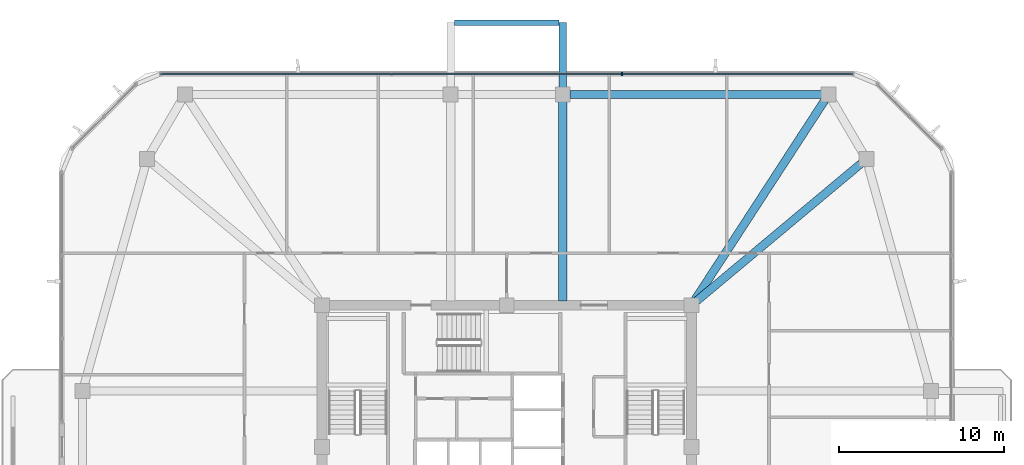
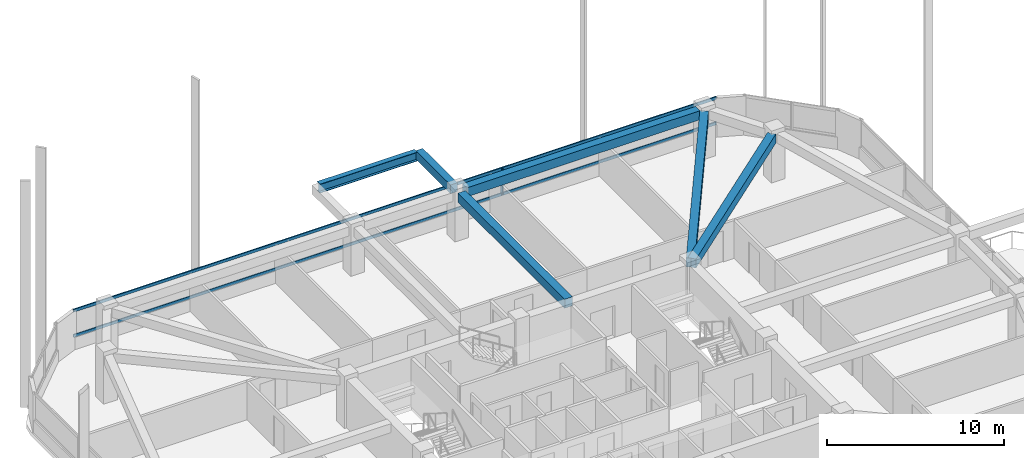
# One storey, part 7 of 17: 6 beams, 3 members, 1 element without a shape of its own.
"""IFC4 building model written with IfcOpenShell, lengths in metres."""

from ifc_helpers import new_model, si_unit, derived_unit, direction, frame, origin, origin_2d, place, context, subcontext, project, spatial, rectangle, i_section, extrude, material, material_profile, profile_set, type_object, element, aggregate, save


model = new_model("IFC4")

# Units and contexts
model_context = context("Model", 3, precision=1e-05, world=origin(), true_north=direction((0.0, 1.0)))
body_context = subcontext(model_context, "Body", "Model", "MODEL_VIEW")
ifc_project = project(units=[si_unit("LENGTHUNIT", "METRE"), si_unit("AREAUNIT", "SQUARE_METRE"), si_unit("VOLUMEUNIT", "CUBIC_METRE"), si_unit("PLANEANGLEUNIT", "RADIAN"), si_unit("MASSUNIT", "GRAM", prefix="KILO"), derived_unit("THERMALTRANSMITTANCEUNIT", [(si_unit("POWERUNIT", "WATT"), 1), (si_unit("LENGTHUNIT", "METRE"), -2), (si_unit("THERMODYNAMICTEMPERATUREUNIT", "KELVIN"), -1)])], contexts=[model_context])

# Site, building, storey
site_placement = place(None, origin())
site = spatial("IfcSite", under=ifc_project, at=site_placement, CompositionType="ELEMENT")
building_placement = place(site_placement, origin())
building = spatial("IfcBuilding", under=site, at=building_placement, Name="Koralith Skygarden Medical Center", CompositionType="ELEMENT")
storey_placement = place(building_placement, frame((0.0, 0.0, 221.580078125)))
storey = spatial("IfcBuildingStorey", under=building, at=storey_placement, Name="L57", CompositionType="ELEMENT", Elevation=221.580078125)

# Curtain wall, members
ifc_material_1 = material(Name="Clear Laminated Glass", Category="glass")
curtain_wall_type = type_object("IfcCurtainWallType", Name="CW-5 Zone 4 Flare Biophilic Curtain Wall", PredefinedType="NOTDEFINED", material=ifc_material_1)
curtain_wall_placement = place(storey_placement, origin())
curtain_wall = element("IfcCurtainWall", 1, at=curtain_wall_placement, inside=storey, type_object=curtain_wall_type, Name="Curtain Wall CW-L57-N", PredefinedType="NOTDEFINED")
ifc_material_2 = material(Name="Aluminium 6063-T6", Category="aluminium")
ifc_material_profile_1 = material_profile(ifc_material_2, rectangle(XDim=0.080078125, YDim=0.219970703125, at=origin_2d()), Name="MUL80X220")
ifc_profile_set_1 = profile_set([ifc_material_profile_1], Name="Aluminium 6063-T6")
member_type_1 = type_object("IfcMemberType", Name="CW-5 Extruded Mullion 80x220", PredefinedType="MULLION", material=ifc_profile_set_1)
member_1_placement = place(storey_placement, frame((43.99609375, 48.52001953125, 0.849853515625), z_axis=(0.0, 0.0, 1.0), x_axis=(1.0, 0.0, 0.0)))
member_1 = element("IfcMember", 2, at=member_1_placement, type_object=member_type_1, Name="CW-L57-N Mullion 2", PredefinedType="MULLION", context=body_context, shape_type="SweptSolid", body=[
    extrude(rectangle(XDim=0.080078125, YDim=0.219970703125, at=origin_2d()), origin(), (0.0, 0.0, 1.0), 1.840087890625),
])
ifc_material_profile_2 = material_profile(ifc_material_2, rectangle(XDim=0.074951171875, YDim=0.197998046875, at=origin_2d()), Name="TRN75X198")
ifc_profile_set_2 = profile_set([ifc_material_profile_2], Name="Aluminium 6063-T6")
member_type_2 = type_object("IfcMemberType", Name="CW-5 Thermal Transom 75x198", PredefinedType="USERDEFINED", material=ifc_profile_set_2)
member_2_placement = place(storey_placement, frame((57.987060546875, 48.52001953125, 0.89990234375), z_axis=(-1.0, 0.0, 0.0), x_axis=(0.0, -1.0, 0.0)))
member_2 = element("IfcMember", 3, at=member_2_placement, type_object=member_type_2, Name="CW-L57-N Transom 1", ObjectType="TRANSOM", PredefinedType="USERDEFINED", context=body_context, shape_type="SweptSolid", body=[
    extrude(rectangle(XDim=0.074951171875, YDim=0.197998046875, at=origin_2d()), origin(), (0.0, 0.0, 1.0), 41.97412109375),
])
member_3_placement = place(storey_placement, frame((57.987060546875, 48.52001953125, 2.639892578125), z_axis=(-1.0, 0.0, 0.0), x_axis=(0.0, -1.0, 0.0)))
member_3 = element("IfcMember", 4, at=member_3_placement, type_object=member_type_2, Name="CW-L57-N Transom 2", ObjectType="TRANSOM", PredefinedType="USERDEFINED", context=body_context, shape_type="SweptSolid", body=[
    extrude(rectangle(XDim=0.074951171875, YDim=0.197998046875, at=origin_2d()), origin(), (0.0, 0.0, 1.0), 41.97412109375),
])
aggregate(curtain_wall, [member_1, member_2, member_3])

# Beams
ifc_material_3 = material(Name="Steel ASTM A992 Grade 50", Category="steel")
ifc_material_profile_3 = material_profile(ifc_material_3, i_section(OverallWidth=0.326904296875, OverallDepth=0.6220703125, WebThickness=0.015380859375, FlangeThickness=0.0244140625, at=origin_2d()), Name="W24X131")
ifc_profile_set_3 = profile_set([ifc_material_profile_3], Name="Steel ASTM A992 Grade 50")
beam_type_1 = type_object("IfcBeamType", Name="Cantilever Tie Beam W24X131", PredefinedType="BEAM", material=ifc_profile_set_3)
beam_1_placement = place(storey_placement, frame((33.820068359375, 51.6298828125, 3.02880859375), z_axis=(1.0, 0.0, 0.0), x_axis=(0.0, 1.0, 0.0)))
element("IfcBeam", 5, at=beam_1_placement, inside=storey, type_object=beam_type_1, Name="L58 N Balcony Tip Tie Beam", PredefinedType="BEAM", context=body_context, shape_type="SweptSolid", body=[
    extrude(i_section(OverallWidth=0.326904296875, OverallDepth=0.6220703125, WebThickness=0.015380859375, FlangeThickness=0.0244140625, at=origin_2d()), origin(), (0.0, 0.0, 1.0), 6.35986328125),
])
ifc_material_4 = material(Name="Concrete C45/55", Category="concrete")
ifc_material_profile_4 = material_profile(ifc_material_4, rectangle(XDim=0.449951171875, YDim=0.60009765625, at=origin_2d()), Name="RCB450X600")
ifc_profile_set_4 = profile_set([ifc_material_profile_4], Name="Concrete C45/55")
beam_type_2 = type_object("IfcBeamType", Name="Planted Balcony Cantilever Beam RCB450X600", PredefinedType="BEAM", material=ifc_profile_set_4)
beam_2_placement = place(storey_placement, frame((40.39990234375, 47.7099609375, 3.0400390625), z_axis=(0.0, 1.0, 0.0), x_axis=(-1.0, 0.0, 0.0)))
element("IfcBeam", 6, at=beam_2_placement, inside=storey, type_object=beam_type_2, Name="L58 N Balcony Cantilever Beam B", PredefinedType="BEAM", context=body_context, shape_type="SweptSolid", body=[
    extrude(rectangle(XDim=0.449951171875, YDim=0.60009765625, at=origin_2d()), origin(), (0.0, 0.0, 1.0), 3.919921875),
])
ifc_material_profile_5 = material_profile(ifc_material_4, rectangle(XDim=0.5, YDim=0.6201171875, at=origin_2d()), Name="RCB500X620")
ifc_profile_set_5 = profile_set([ifc_material_profile_5], Name="Concrete C45/55")
beam_type_3 = type_object("IfcBeamType", Name="Upper Radial Collector Beam RCB500X620", PredefinedType="BEAM", material=ifc_profile_set_5)
beam_3_placement = place(storey_placement, frame((48.39208984375, 34.659912109375, 3.010009765625), z_axis=(0.767298159165, 0.64129052304, 0.0), x_axis=(-0.64129052304, 0.767298159165, 0.0)))
element("IfcBeam", 7, at=beam_3_placement, inside=storey, type_object=beam_type_3, Name="L57 Radial Collector Beam RB-10", PredefinedType="BEAM", context=body_context, shape_type="SweptSolid", body=[
    extrude(rectangle(XDim=0.5, YDim=0.6201171875, at=origin_2d()), origin(), (0.0, 0.0, 1.0), 13.126708984375),
])
beam_4_placement = place(storey_placement, frame((48.3359375, 34.7099609375, 3.010009765625), z_axis=(0.545156385215, 0.838334369842, 0.0), x_axis=(-0.838334369842, 0.545156385215, 0.0)))
element("IfcBeam", 8, at=beam_4_placement, inside=storey, type_object=beam_type_3, Name="L57 Radial Collector Beam RB-11", PredefinedType="BEAM", context=body_context, shape_type="SweptSolid", body=[
    extrude(rectangle(XDim=0.5, YDim=0.6201171875, at=origin_2d()), origin(), (0.0, 0.0, 1.0), 14.5537109375),
])
beam_5_placement = place(storey_placement, frame((40.39990234375, 34.75, 3.010009765625), z_axis=(0.0, 1.0, 0.0), x_axis=(-1.0, 0.0, 0.0)))
element("IfcBeam", 9, at=beam_5_placement, inside=storey, type_object=beam_type_3, Name="L57 Radial Collector Beam RB-12", PredefinedType="BEAM", context=body_context, shape_type="SweptSolid", body=[
    extrude(rectangle(XDim=0.5, YDim=0.6201171875, at=origin_2d()), origin(), (0.0, 0.0, 1.0), 12.090087890625),
])
ifc_material_profile_6 = material_profile(ifc_material_4, rectangle(XDim=0.5, YDim=0.6201171875, at=origin_2d()), Name="RCB500X620")
ifc_profile_set_6 = profile_set([ifc_material_profile_6], Name="Concrete C45/55")
beam_type_4 = type_object("IfcBeamType", Name="Zone 4-5 Spandrel Beam RCB500X620", PredefinedType="SPANDREL", material=ifc_profile_set_6)
beam_6_placement = place(storey_placement, frame((56.070068359375, 47.280029296875, 3.010009765625), z_axis=(-1.0, 0.0, 0.0), x_axis=(0.0, -1.0, 0.0)))
element("IfcBeam", 10, at=beam_6_placement, inside=storey, type_object=beam_type_4, Name="L57 Perimeter Spandrel Beam SP-11", PredefinedType="SPANDREL", context=body_context, shape_type="SweptSolid", body=[
    extrude(rectangle(XDim=0.5, YDim=0.6201171875, at=origin_2d()), origin(), (0.0, 0.0, 1.0), 15.22998046875),
])

save(model, "model.ifc")
